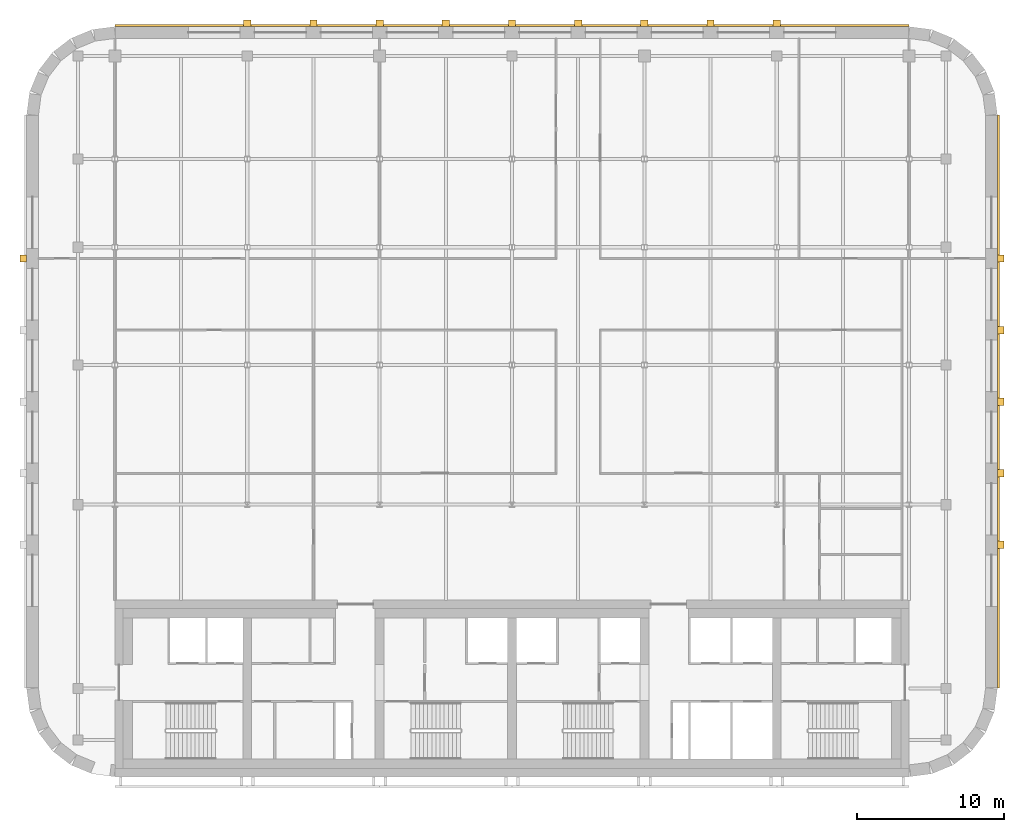
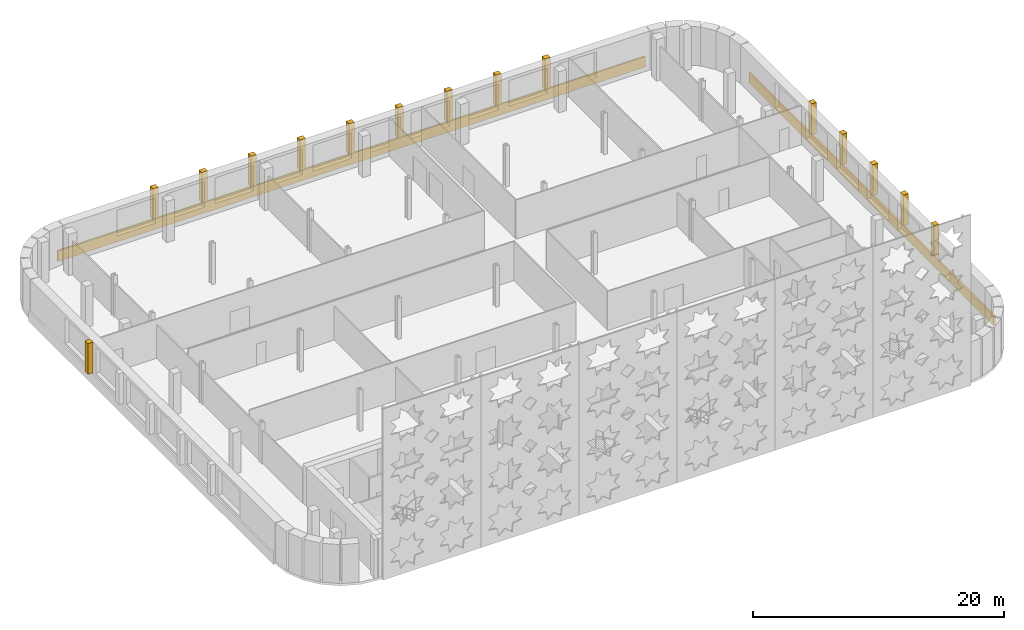
# One storey, part 14 of 14: 17 coverings.
"""IFC4 building model written with IfcOpenShell, lengths in metres."""

from ifc_helpers import new_model, si_unit, direction, frame, origin, place, context, subcontext, project, spatial, polyline, outline, extrude, material, layer, layer_set, type_object, element, save


model = new_model("IFC4")

# Units and contexts
model_context = context("Model", 3, precision=1e-05, world=origin(), true_north=direction((0.0, 1.0)))
body_context = subcontext(model_context, "Body", "Model", "MODEL_VIEW")
ifc_project = project(units=[si_unit("LENGTHUNIT", "METRE"), si_unit("AREAUNIT", "SQUARE_METRE"), si_unit("VOLUMEUNIT", "CUBIC_METRE"), si_unit("PLANEANGLEUNIT", "RADIAN"), si_unit("MASSUNIT", "GRAM", prefix="KILO")], contexts=[model_context])

# Site, building, storey
site_placement = place(None, origin())
site = spatial("IfcSite", under=ifc_project, at=site_placement, CompositionType="ELEMENT")
building_placement = place(site_placement, origin())
building = spatial("IfcBuilding", under=site, at=building_placement, Name="Zellij Exchange Tower", CompositionType="ELEMENT")
storey_placement = place(building_placement, frame((0.0, 0.0, 288.5)))
storey = spatial("IfcBuildingStorey", under=building, at=storey_placement, Name="L68", CompositionType="ELEMENT", Elevation=288.5)

# Coverings
ifc_material = material(Name="Limestone cladding", Category="masonry")
ifc_layer = layer(ifc_material, 0.14990234375)
ifc_layer_set = layer_set([ifc_layer], Name="Limestone cladding")
covering_type_1 = type_object("IfcCoveringType", Name="ENV-CV1 Stone spandrel band 150", PredefinedType="CLADDING", material=ifc_layer_set)
covering_1_placement = place(storey_placement, frame((0.0, 0.0, -0.219970703125)))
element("IfcCovering", 1, at=covering_1_placement, inside=storey, type_object=covering_type_1, Name="Stone spandrel band", PredefinedType="CLADDING", context=body_context, shape_type="SweptSolid", body=[
    extrude(outline(polyline([(33.0, -7.973876953125), (33.0, 30.973876953125), (33.14990234375, 30.983642578125), (33.14990234375, -7.983642578125), (33.0, -7.973876953125)])), origin(), (0.0, 0.0, 1.0), 1.02001953125),
])
covering_2_placement = place(storey_placement, frame((0.0, 0.0, -0.219970703125)))
element("IfcCovering", 2, at=covering_2_placement, inside=storey, type_object=covering_type_1, Name="Stone spandrel band", PredefinedType="CLADDING", context=body_context, shape_type="SweptSolid", body=[
    extrude(outline(polyline([(26.973876953125, 37.0), (-26.973876953125, 37.0), (-26.983642578125, 37.14990234375), (26.983642578125, 37.14990234375), (26.973876953125, 37.0)])), origin(), (0.0, 0.0, 1.0), 1.02001953125),
])
covering_type_2 = type_object("IfcCoveringType", Name="ENV-CV4 Stone pier 500x450", PredefinedType="CLADDING", material=ifc_material)
covering_3_placement = place(storey_placement, frame((0.0, 0.0, 0.800048828125)))
element("IfcCovering", 3, at=covering_3_placement, inside=storey, type_object=covering_type_2, Name="Stone pier", PredefinedType="CLADDING", context=body_context, shape_type="SweptSolid", body=[
    extrude(outline(polyline([(33.0, 1.51318359375), (33.0, 2.01318359375), (33.449951171875, 2.01318359375), (33.449951171875, 1.51318359375), (33.0, 1.51318359375)])), origin(), (0.0, 0.0, 1.0), 2.97998046875),
])
covering_4_placement = place(storey_placement, frame((0.0, 0.0, 0.800048828125)))
element("IfcCovering", 4, at=covering_4_placement, inside=storey, type_object=covering_type_2, Name="Stone pier", PredefinedType="CLADDING", context=body_context, shape_type="SweptSolid", body=[
    extrude(outline(polyline([(33.0, 6.381591796875), (33.0, 6.881591796875), (33.449951171875, 6.881591796875), (33.449951171875, 6.381591796875), (33.0, 6.381591796875)])), origin(), (0.0, 0.0, 1.0), 2.97998046875),
])
covering_5_placement = place(storey_placement, frame((0.0, 0.0, 0.800048828125)))
element("IfcCovering", 5, at=covering_5_placement, inside=storey, type_object=covering_type_2, Name="Stone pier", PredefinedType="CLADDING", context=body_context, shape_type="SweptSolid", body=[
    extrude(outline(polyline([(33.0, 11.25), (33.0, 11.75), (33.449951171875, 11.75), (33.449951171875, 11.25), (33.0, 11.25)])), origin(), (0.0, 0.0, 1.0), 2.97998046875),
])
covering_6_placement = place(storey_placement, frame((0.0, 0.0, 0.800048828125)))
element("IfcCovering", 6, at=covering_6_placement, inside=storey, type_object=covering_type_2, Name="Stone pier", PredefinedType="CLADDING", context=body_context, shape_type="SweptSolid", body=[
    extrude(outline(polyline([(33.0, 16.118408203125), (33.0, 16.618408203125), (33.449951171875, 16.618408203125), (33.449951171875, 16.118408203125), (33.0, 16.118408203125)])), origin(), (0.0, 0.0, 1.0), 2.97998046875),
])
covering_7_placement = place(storey_placement, frame((0.0, 0.0, 0.800048828125)))
element("IfcCovering", 7, at=covering_7_placement, inside=storey, type_object=covering_type_2, Name="Stone pier", PredefinedType="CLADDING", context=body_context, shape_type="SweptSolid", body=[
    extrude(outline(polyline([(33.0, 20.98681640625), (33.0, 21.48681640625), (33.449951171875, 21.48681640625), (33.449951171875, 20.98681640625), (33.0, 20.98681640625)])), origin(), (0.0, 0.0, 1.0), 2.97998046875),
])
covering_8_placement = place(storey_placement, frame((0.0, 0.0, 0.800048828125)))
element("IfcCovering", 8, at=covering_8_placement, inside=storey, type_object=covering_type_2, Name="Stone pier", PredefinedType="CLADDING", context=body_context, shape_type="SweptSolid", body=[
    extrude(outline(polyline([(18.25, 37.0), (17.75, 37.0), (17.75, 37.449951171875), (18.25, 37.449951171875), (18.25, 37.0)])), origin(), (0.0, 0.0, 1.0), 2.97998046875),
])
covering_9_placement = place(storey_placement, frame((0.0, 0.0, 0.800048828125)))
element("IfcCovering", 9, at=covering_9_placement, inside=storey, type_object=covering_type_2, Name="Stone pier", PredefinedType="CLADDING", context=body_context, shape_type="SweptSolid", body=[
    extrude(outline(polyline([(13.75, 37.0), (13.25, 37.0), (13.25, 37.449951171875), (13.75, 37.449951171875), (13.75, 37.0)])), origin(), (0.0, 0.0, 1.0), 2.97998046875),
])
covering_10_placement = place(storey_placement, frame((0.0, 0.0, 0.800048828125)))
element("IfcCovering", 10, at=covering_10_placement, inside=storey, type_object=covering_type_2, Name="Stone pier", PredefinedType="CLADDING", context=body_context, shape_type="SweptSolid", body=[
    extrude(outline(polyline([(9.25, 37.0), (8.75, 37.0), (8.75, 37.449951171875), (9.25, 37.449951171875), (9.25, 37.0)])), origin(), (0.0, 0.0, 1.0), 2.97998046875),
])
covering_11_placement = place(storey_placement, frame((0.0, 0.0, 0.800048828125)))
element("IfcCovering", 11, at=covering_11_placement, inside=storey, type_object=covering_type_2, Name="Stone pier", PredefinedType="CLADDING", context=body_context, shape_type="SweptSolid", body=[
    extrude(outline(polyline([(4.75, 37.0), (4.25, 37.0), (4.25, 37.449951171875), (4.75, 37.449951171875), (4.75, 37.0)])), origin(), (0.0, 0.0, 1.0), 2.97998046875),
])
covering_12_placement = place(storey_placement, frame((0.0, 0.0, 0.800048828125)))
element("IfcCovering", 12, at=covering_12_placement, inside=storey, type_object=covering_type_2, Name="Stone pier", PredefinedType="CLADDING", context=body_context, shape_type="SweptSolid", body=[
    extrude(outline(polyline([(0.25, 37.0), (-0.25, 37.0), (-0.25, 37.449951171875), (0.25, 37.449951171875), (0.25, 37.0)])), origin(), (0.0, 0.0, 1.0), 2.97998046875),
])
covering_13_placement = place(storey_placement, frame((0.0, 0.0, 0.800048828125)))
element("IfcCovering", 13, at=covering_13_placement, inside=storey, type_object=covering_type_2, Name="Stone pier", PredefinedType="CLADDING", context=body_context, shape_type="SweptSolid", body=[
    extrude(outline(polyline([(-4.25, 37.0), (-4.75, 37.0), (-4.75, 37.449951171875), (-4.25, 37.449951171875), (-4.25, 37.0)])), origin(), (0.0, 0.0, 1.0), 2.97998046875),
])
covering_14_placement = place(storey_placement, frame((0.0, 0.0, 0.800048828125)))
element("IfcCovering", 14, at=covering_14_placement, inside=storey, type_object=covering_type_2, Name="Stone pier", PredefinedType="CLADDING", context=body_context, shape_type="SweptSolid", body=[
    extrude(outline(polyline([(-8.75, 37.0), (-9.25, 37.0), (-9.25, 37.449951171875), (-8.75, 37.449951171875), (-8.75, 37.0)])), origin(), (0.0, 0.0, 1.0), 2.97998046875),
])
covering_15_placement = place(storey_placement, frame((0.0, 0.0, 0.800048828125)))
element("IfcCovering", 15, at=covering_15_placement, inside=storey, type_object=covering_type_2, Name="Stone pier", PredefinedType="CLADDING", context=body_context, shape_type="SweptSolid", body=[
    extrude(outline(polyline([(-13.25, 37.0), (-13.75, 37.0), (-13.75, 37.449951171875), (-13.25, 37.449951171875), (-13.25, 37.0)])), origin(), (0.0, 0.0, 1.0), 2.97998046875),
])
covering_16_placement = place(storey_placement, frame((0.0, 0.0, 0.800048828125)))
element("IfcCovering", 16, at=covering_16_placement, inside=storey, type_object=covering_type_2, Name="Stone pier", PredefinedType="CLADDING", context=body_context, shape_type="SweptSolid", body=[
    extrude(outline(polyline([(-17.75, 37.0), (-18.25, 37.0), (-18.25, 37.449951171875), (-17.75, 37.449951171875), (-17.75, 37.0)])), origin(), (0.0, 0.0, 1.0), 2.97998046875),
])
covering_17_placement = place(storey_placement, frame((0.0, 0.0, 0.800048828125)))
element("IfcCovering", 17, at=covering_17_placement, inside=storey, type_object=covering_type_2, Name="Stone pier", PredefinedType="CLADDING", context=body_context, shape_type="SweptSolid", body=[
    extrude(outline(polyline([(-33.0, 21.48681640625), (-33.0, 20.98681640625), (-33.449951171875, 20.98681640625), (-33.449951171875, 21.48681640625), (-33.0, 21.48681640625)])), origin(), (0.0, 0.0, 1.0), 2.97998046875),
])

save(model, "model.ifc")
